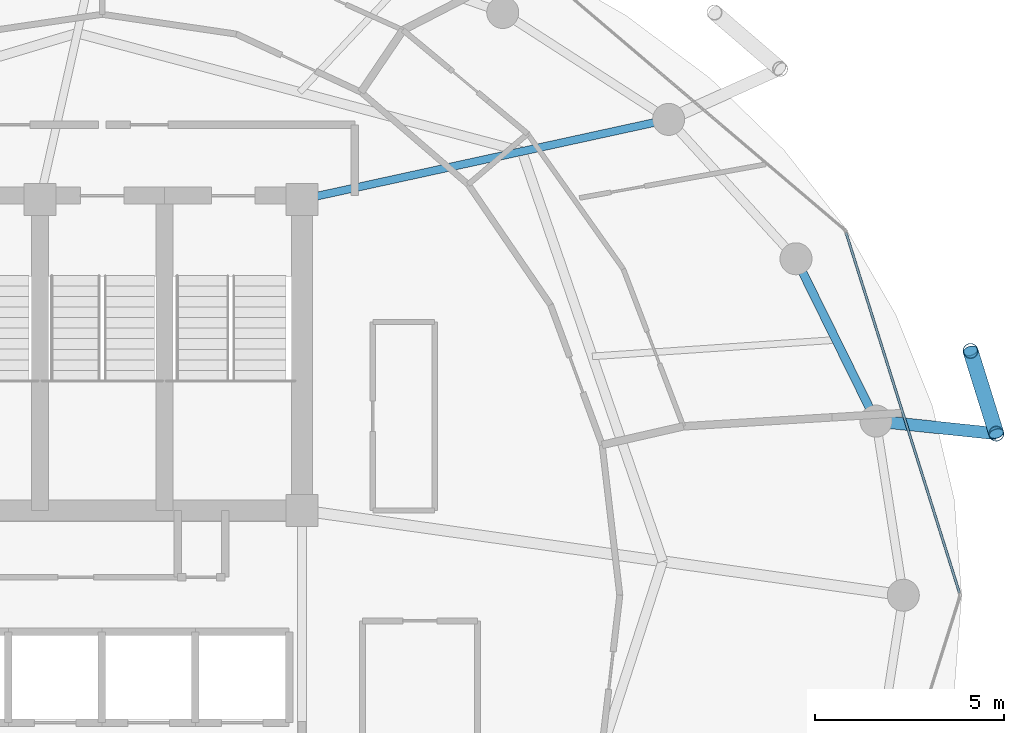
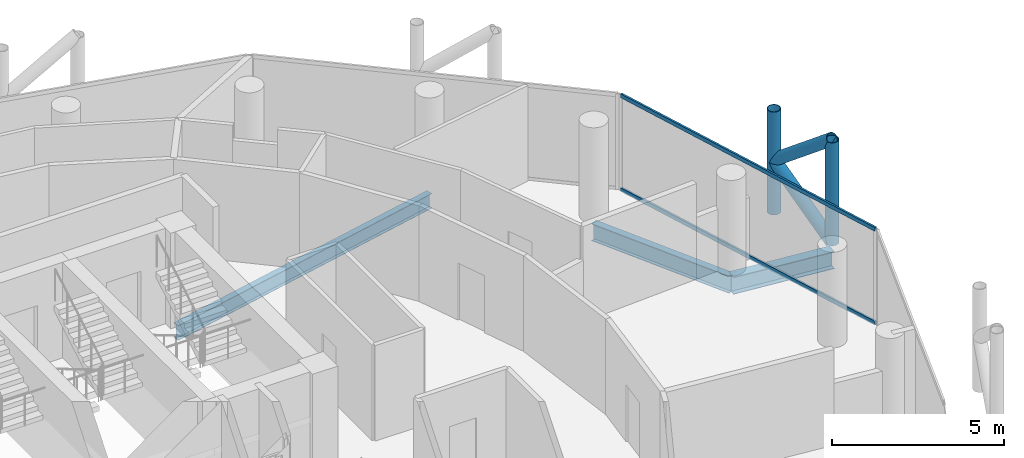
# One storey, part 16 of 27: 6 members, 3 beams, 1 element without a shape of its own.
"""IFC4 building model written with IfcOpenShell, lengths in metres."""

from ifc_helpers import new_model, si_unit, direction, frame, origin, origin_2d, place, context, subcontext, project, spatial, hollow_rectangle, hollow_circle, i_section, extrude, material, layer, layer_set, material_profile, profile_set, type_object, element, aggregate, save


model = new_model("IFC4")

# Units and contexts
model_context = context("Model", 3, precision=1e-05, world=origin(), true_north=direction((0.0, 1.0)))
body_context = subcontext(model_context, "Body", "Model", "MODEL_VIEW")
ifc_project = project(units=[si_unit("LENGTHUNIT", "METRE"), si_unit("AREAUNIT", "SQUARE_METRE"), si_unit("VOLUMEUNIT", "CUBIC_METRE"), si_unit("PLANEANGLEUNIT", "RADIAN"), si_unit("MASSUNIT", "GRAM", prefix="KILO")], contexts=[model_context])

# Site, building, storey
site_placement = place(None, origin())
site = spatial("IfcSite", under=ifc_project, at=site_placement, CompositionType="ELEMENT")
building_placement = place(site_placement, origin())
building = spatial("IfcBuilding", under=site, at=building_placement, Name="Nuhasar Tower", CompositionType="ELEMENT")
storey_placement = place(building_placement, frame((0.0, 0.0, 251.949951171875)))
storey = spatial("IfcBuildingStorey", under=building, at=storey_placement, Name="L62", CompositionType="ELEMENT", Elevation=251.949951171875)

# Beams
ifc_material_1 = material(Name="Steel S355", Category="steel")
ifc_material_profile_1 = material_profile(ifc_material_1, i_section(OverallWidth=0.208984375, OverallDepth=0.528076171875, WebThickness=0.009521484375, FlangeThickness=0.01318359375, at=origin_2d()), Name="W21X55")
ifc_profile_set_1 = profile_set([ifc_material_profile_1], Name="Steel S355")
beam_type_1 = type_object("IfcBeamType", Name="BM-RAD-W21X55", PredefinedType="BEAM", material=ifc_profile_set_1)
beam_1_placement = place(storey_placement, frame((44.300048828125, 37.300048828125, -0.50390625), z_axis=(0.977014275474, 0.213173885644, 0.0), x_axis=(-0.213173885644, 0.977014275474, 0.0)))
element("IfcBeam", 1, at=beam_1_placement, inside=storey, type_object=beam_type_1, Name="L62 Radial Floor Girder 05", PredefinedType="BEAM", context=body_context, shape_type="SweptSolid", body=[
    extrude(i_section(OverallWidth=0.208984375, OverallDepth=0.528076171875, WebThickness=0.009521484375, FlangeThickness=0.01318359375, at=origin_2d()), origin(), (0.0, 0.0, 1.0), 9.95458984375),
])
ifc_material_profile_2 = material_profile(ifc_material_1, i_section(OverallWidth=0.22802734375, OverallDepth=0.60791015625, WebThickness=0.01123046875, FlangeThickness=0.017333984375, at=origin_2d()), Name="W24X76")
ifc_profile_set_2 = profile_set([ifc_material_profile_2], Name="Steel S355")
beam_type_2 = type_object("IfcBeamType", Name="BM-RING-W24X76", PredefinedType="SPANDREL", material=ifc_profile_set_2)
beam_2_placement = place(storey_placement, frame((59.52587890625, 31.419921875, -0.5439453125), z_axis=(-0.442242604409, 0.896895467067, 0.0), x_axis=(-0.896895467067, -0.442242604409, 0.0)))
element("IfcBeam", 2, at=beam_2_placement, inside=storey, type_object=beam_type_2, Name="L62 Perimeter Ring Spandrel 02", PredefinedType="SPANDREL", context=body_context, shape_type="SweptSolid", body=[
    extrude(i_section(OverallWidth=0.22802734375, OverallDepth=0.60791015625, WebThickness=0.01123046875, FlangeThickness=0.017333984375, at=origin_2d()), origin(), (0.0, 0.0, 1.0), 4.800048828125),
])
ifc_material_profile_3 = material_profile(ifc_material_1, i_section(OverallWidth=0.323974609375, OverallDepth=0.611083984375, WebThickness=0.0126953125, FlangeThickness=0.01904296875, at=origin_2d()), Name="W24X104")
ifc_profile_set_3 = profile_set([ifc_material_profile_3], Name="Steel S355")
beam_type_3 = type_object("IfcBeamType", Name="BM-TIE-W24X104", PredefinedType="BEAM", material=ifc_profile_set_3)
beam_3_placement = place(storey_placement, frame((59.52587890625, 31.419921875, -0.544921875), z_axis=(0.994571111079, -0.10405914187, 0.0), x_axis=(0.10405914187, 0.994571111079, 0.0)))
element("IfcBeam", 3, at=beam_3_placement, inside=storey, type_object=beam_type_3, Name="L62 Exoskeleton Node Tie Beam 01", PredefinedType="BEAM", context=body_context, shape_type="SweptSolid", body=[
    extrude(i_section(OverallWidth=0.323974609375, OverallDepth=0.611083984375, WebThickness=0.0126953125, FlangeThickness=0.01904296875, at=origin_2d()), origin(), (0.0, 0.0, 1.0), 3.20947265625),
])

# Curtain wall, members
ifc_material_2 = material(Name="Aluminium 6063-T6", Category="aluminium")
ifc_layer = layer(ifc_material_2, 0.18994140625)
ifc_layer_set = layer_set([ifc_layer], Name="Aluminium 6063-T6")
curtain_wall_type = type_object("IfcCurtainWallType", Name="CW-Z3-RES", PredefinedType="NOTDEFINED", material=ifc_layer_set)
curtain_wall_placement = place(storey_placement, origin())
curtain_wall = element("IfcCurtainWall", 4, at=curtain_wall_placement, inside=storey, type_object=curtain_wall_type, Name="L62 Unitised Curtain Wall 01", PredefinedType="NOTDEFINED")
ifc_material_profile_4 = material_profile(ifc_material_2, hollow_rectangle(XDim=0.06494140625, YDim=0.139892578125, WallThickness=0.00439453125, at=origin_2d()), Name="CWT-4")
ifc_profile_set_4 = profile_set([ifc_material_profile_4], Name="Aluminium 6063-T6")
member_type_1 = type_object("IfcMemberType", Name="CW-TRN-S4", PredefinedType="USERDEFINED", material=ifc_profile_set_4)
member_1_placement = place(storey_placement, frame((61.740478515625, 26.862060546875, 0.032470703125), z_axis=(-0.300437373386, 0.953801543652, 0.0), x_axis=(-0.953801543652, -0.300437373386, 0.0)))
member_1 = element("IfcMember", 5, at=member_1_placement, type_object=member_type_1, Name="CW-Z3 transom 1.1", ObjectType="TRANSOM", PredefinedType="USERDEFINED", context=body_context, shape_type="SweptSolid", body=[
    extrude(hollow_rectangle(XDim=0.06494140625, YDim=0.139892578125, WallThickness=0.00439453125, at=origin_2d()), origin(), (0.0, 0.0, 1.0), 10.018798828125),
])
member_2_placement = place(storey_placement, frame((61.740478515625, 26.862060546875, 3.357666015625), z_axis=(-0.300437373386, 0.953801543652, 0.0), x_axis=(-0.953801543652, -0.300437373386, 0.0)))
member_2 = element("IfcMember", 6, at=member_2_placement, type_object=member_type_1, Name="CW-Z3 transom 1.2", ObjectType="TRANSOM", PredefinedType="USERDEFINED", context=body_context, shape_type="SweptSolid", body=[
    extrude(hollow_rectangle(XDim=0.06494140625, YDim=0.139892578125, WallThickness=0.00439453125, at=origin_2d()), origin(), (0.0, 0.0, 1.0), 10.018798828125),
])
aggregate(curtain_wall, [member_1, member_2])

# Members
ifc_material_3 = material(Name="Steel S460", Category="steel")
ifc_material_profile_5 = material_profile(ifc_material_3, hollow_circle(Radius=0.203125, WallThickness=0.01904296875, at=origin_2d()), Name="HSS406.4X19.1")
ifc_profile_set_5 = profile_set([ifc_material_profile_5], Name="Steel S460")
member_type_2 = type_object("IfcMemberType", Name="EXO-BRONZE-406", PredefinedType="BRACE", material=ifc_profile_set_5)
for number, where, z_axis, x_axis, name in (
    (7, (62.718017578125, 31.0859375, 0.0), (0.0, 0.0, 1.0), (1.0, 0.0, 0.0), "L62 Exoskeleton Chord Column EC-01A"),
    (8, (62.032958984375, 33.281005859375, 0.0), (0.0, 0.0, 1.0), (1.0, 0.0, 0.0), "L62 Exoskeleton Chord Column EC-01B"),
):
    element("IfcMember", number, at=place(storey_placement, frame(where, z_axis=z_axis, x_axis=x_axis)), inside=storey, type_object=member_type_2, Name=name, PredefinedType="BRACE", context=body_context, shape_type="SweptSolid", body=[
        extrude(hollow_circle(Radius=0.203125, WallThickness=0.01904296875, at=origin_2d()), origin(), (0.0, 0.0, 1.0), 3.650146484375),
    ])
member_3_placement = place(storey_placement, frame((62.718017578125, 31.0859375, 0.0), z_axis=(-0.233357911711, 0.747726651531, 0.621650174641), x_axis=(-0.954591372974, -0.297918295247, 0.0)))
element("IfcMember", 9, at=member_3_placement, inside=storey, type_object=member_type_2, Name="L62 Bronze Diagrid Brace W1-01", PredefinedType="BRACE", context=body_context, shape_type="SweptSolid", body=[
    extrude(hollow_circle(Radius=0.203125, WallThickness=0.01904296875, at=origin_2d()), origin(), (0.0, 0.0, 1.0), 2.935546875),
])
member_4_placement = place(storey_placement, frame((62.032958984375, 33.281005859375, 1.824951171875), z_axis=(0.233345847503, -0.747687995332, 0.621701195985), x_axis=(0.954591372974, 0.297918295247, 0.0)))
element("IfcMember", 10, at=member_4_placement, inside=storey, type_object=member_type_2, Name="L62 Bronze Diagrid Brace W2-01", PredefinedType="BRACE", context=body_context, shape_type="SweptSolid", body=[
    extrude(hollow_circle(Radius=0.203125, WallThickness=0.01904296875, at=origin_2d()), origin(), (0.0, 0.0, 1.0), 2.935791015625),
])

save(model, "model.ifc")
